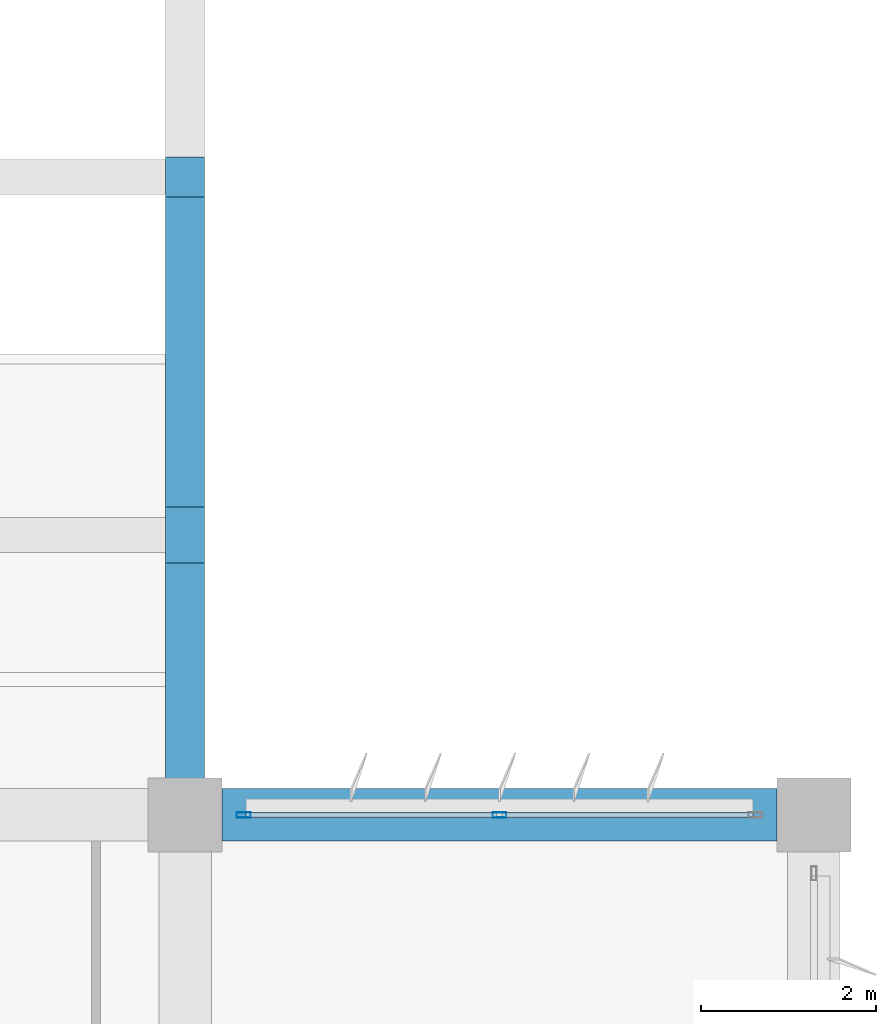
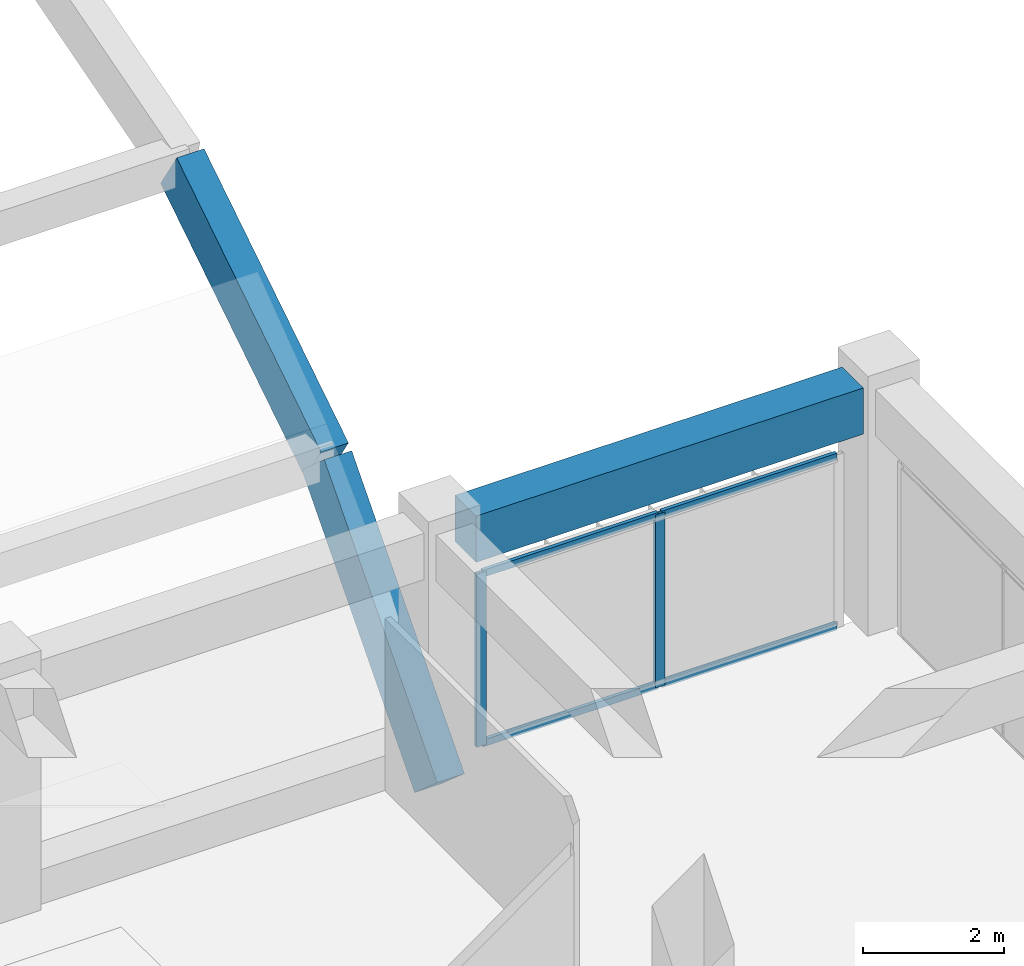
# One storey, part 19 of 48: 6 members, 3 beams, 1 element without a shape of its own.
"""IFC4 building model written with IfcOpenShell, lengths in metres."""

from ifc_helpers import new_model, si_unit, direction, frame, origin, origin_2d, place, context, subcontext, project, spatial, rectangle, hollow_rectangle, extrude, material, material_profile, profile_set, type_object, element, aggregate, save


model = new_model("IFC4")

# Units and contexts
model_context = context("Model", 3, precision=1e-05, world=origin(), true_north=direction((0.0, 1.0)))
body_context = subcontext(model_context, "Body", "Model", "MODEL_VIEW")
ifc_project = project(units=[si_unit("LENGTHUNIT", "METRE"), si_unit("AREAUNIT", "SQUARE_METRE"), si_unit("VOLUMEUNIT", "CUBIC_METRE"), si_unit("PLANEANGLEUNIT", "RADIAN"), si_unit("MASSUNIT", "GRAM", prefix="KILO")], contexts=[model_context])

# Site, building, storey
site_placement = place(None, origin())
site = spatial("IfcSite", under=ifc_project, at=site_placement, CompositionType="ELEMENT")
building_placement = place(site_placement, origin())
building = spatial("IfcBuilding", under=site, at=building_placement, Name="Kazehaya Institute of Natural Sciences", CompositionType="ELEMENT")
storey_placement = place(building_placement, frame((0.0, 0.0, 19.800048828125)))
storey = spatial("IfcBuildingStorey", under=building, at=storey_placement, Name="L04", CompositionType="ELEMENT", Elevation=19.800048828125)

# Beams
ifc_material_1 = material(Name="Concrete Fc36", Category="concrete")
ifc_material_profile_1 = material_profile(ifc_material_1, rectangle(XDim=0.449951171875, YDim=0.85009765625, at=origin_2d()), Name="RC-450x850")
ifc_profile_set_1 = profile_set([ifc_material_profile_1], Name="Concrete Fc36")
beam_type_1 = type_object("IfcBeamType", Name="BM-AR-450x850", PredefinedType="BEAM", material=ifc_profile_set_1)
beam_1_placement = place(storey_placement, frame((112.199951171875, 35.60009765625, -0.429931640625), z_axis=(0.0, 0.659222645841, 0.751947806175), x_axis=(-1.0, 0.0, 0.0)))
element("IfcBeam", 1, at=beam_1_placement, inside=storey, type_object=beam_type_1, Name="SH-VOL2 transverse arch rib SH-VOL2-RIB-112-01", PredefinedType="BEAM", context=body_context, shape_type="SweptSolid", body=[
    extrude(rectangle(XDim=0.449951171875, YDim=0.85009765625, at=origin_2d()), origin(), (0.0, 0.0, 1.0), 4.8603515625),
])
beam_2_placement = place(storey_placement, frame((112.199951171875, 38.80419921875, 3.224853515625), z_axis=(0.0, 0.843332482097, 0.537392151636), x_axis=(-1.0, 0.0, 0.0)))
element("IfcBeam", 2, at=beam_2_placement, inside=storey, type_object=beam_type_1, Name="SH-VOL2 transverse arch rib SH-VOL2-RIB-112-03", PredefinedType="BEAM", context=body_context, shape_type="SweptSolid", body=[
    extrude(rectangle(XDim=0.449951171875, YDim=0.85009765625, at=origin_2d()), origin(), (0.0, 0.0, 1.0), 4.860595703125),
])
ifc_material_profile_2 = material_profile(ifc_material_1, rectangle(XDim=0.60009765625, YDim=0.800048828125, at=origin_2d()), Name="RC-600x800")
ifc_profile_set_2 = profile_set([ifc_material_profile_2], Name="Concrete Fc36")
beam_type_2 = type_object("IfcBeamType", Name="BM-G-600x800", PredefinedType="BEAM", material=ifc_profile_set_2)
beam_3_placement = place(storey_placement, frame((112.625, 35.60009765625, 3.829833984375), z_axis=(1.0, 0.0, 0.0), x_axis=(0.0, 1.0, 0.0)))
element("IfcBeam", 3, at=beam_3_placement, inside=storey, type_object=beam_type_2, Name="L04 primary X girder BMX-L04-1122-356", PredefinedType="BEAM", context=body_context, shape_type="SweptSolid", body=[
    extrude(rectangle(XDim=0.60009765625, YDim=0.800048828125, at=origin_2d()), origin(), (0.0, 0.0, 1.0), 6.35009765625),
])

# Curtain wall, members
ifc_material_2 = material(Name="Aluminium alloy A6063S-T5", Category="aluminium")
curtain_wall_type = type_object("IfcCurtainWallType", Name="CW-SYS-04", PredefinedType="NOTDEFINED", material=ifc_material_2)
curtain_wall_placement = place(storey_placement, origin())
curtain_wall = element("IfcCurtainWall", 4, at=curtain_wall_placement, inside=storey, type_object=curtain_wall_type, Name="L04 unitised curtain wall CW-L04-085", PredefinedType="NOTDEFINED")
ifc_material_profile_3 = material_profile(ifc_material_2, hollow_rectangle(XDim=0.06005859375, YDim=0.159912109375, WallThickness=0.00390625, at=origin_2d()), Name="ALU-60x160x4")
ifc_profile_set_3 = profile_set([ifc_material_profile_3], Name="Aluminium alloy A6063S-T5")
member_type_1 = type_object("IfcMemberType", Name="CWM-160", PredefinedType="MULLION", material=ifc_profile_set_3)
member_1_placement = place(storey_placement, frame((112.8701171875, 35.60009765625, 0.0), z_axis=(0.0, 0.0, 1.0), x_axis=(0.0, 1.0, 0.0)))
member_1 = element("IfcMember", 5, at=member_1_placement, type_object=member_type_1, Name="CW04 mullion 1", PredefinedType="MULLION", context=body_context, shape_type="SweptSolid", body=[
    extrude(hollow_rectangle(XDim=0.06005859375, YDim=0.159912109375, WallThickness=0.00390625, at=origin_2d()), origin(), (0.0, 0.0, 1.0), 3.0),
])
member_2_placement = place(storey_placement, frame((115.800048828125, 35.60009765625, 0.0), z_axis=(0.0, 0.0, 1.0), x_axis=(0.0, 1.0, 0.0)))
member_2 = element("IfcMember", 6, at=member_2_placement, type_object=member_type_1, Name="CW04 mullion 2", PredefinedType="MULLION", context=body_context, shape_type="SweptSolid", body=[
    extrude(hollow_rectangle(XDim=0.06005859375, YDim=0.159912109375, WallThickness=0.00390625, at=origin_2d()), origin(), (0.0, 0.0, 1.0), 3.0),
])
ifc_material_profile_4 = material_profile(ifc_material_2, hollow_rectangle(XDim=0.06005859375, YDim=0.1201171875, WallThickness=0.00341796875, at=origin_2d()), Name="ALU-60x120x3.5")
ifc_profile_set_4 = profile_set([ifc_material_profile_4], Name="Aluminium alloy A6063S-T5")
member_type_2 = type_object("IfcMemberType", Name="CWT-120", PredefinedType="USERDEFINED", material=ifc_profile_set_4)
member_3_placement = place(storey_placement, frame((112.89990234375, 35.60009765625, 0.030029296875), z_axis=(1.0, 0.0, 0.0), x_axis=(0.0, 1.0, 0.0)))
member_3 = element("IfcMember", 7, at=member_3_placement, type_object=member_type_2, Name="CW04 transom 1.1", ObjectType="TRANSOM", PredefinedType="USERDEFINED", context=body_context, shape_type="SweptSolid", body=[
    extrude(hollow_rectangle(XDim=0.06005859375, YDim=0.1201171875, WallThickness=0.00341796875, at=origin_2d()), origin(), (0.0, 0.0, 1.0), 2.8701171875),
])
member_4_placement = place(storey_placement, frame((112.89990234375, 35.60009765625, 2.969970703125), z_axis=(1.0, 0.0, 0.0), x_axis=(0.0, 1.0, 0.0)))
member_4 = element("IfcMember", 8, at=member_4_placement, type_object=member_type_2, Name="CW04 transom 1.2", ObjectType="TRANSOM", PredefinedType="USERDEFINED", context=body_context, shape_type="SweptSolid", body=[
    extrude(hollow_rectangle(XDim=0.06005859375, YDim=0.1201171875, WallThickness=0.00341796875, at=origin_2d()), origin(), (0.0, 0.0, 1.0), 2.8701171875),
])
member_5_placement = place(storey_placement, frame((115.830078125, 35.60009765625, 0.030029296875), z_axis=(1.0, 0.0, 0.0), x_axis=(0.0, 1.0, 0.0)))
member_5 = element("IfcMember", 9, at=member_5_placement, type_object=member_type_2, Name="CW04 transom 2.1", ObjectType="TRANSOM", PredefinedType="USERDEFINED", context=body_context, shape_type="SweptSolid", body=[
    extrude(hollow_rectangle(XDim=0.06005859375, YDim=0.1201171875, WallThickness=0.00341796875, at=origin_2d()), origin(), (0.0, 0.0, 1.0), 2.869873046875),
])
member_6_placement = place(storey_placement, frame((115.830078125, 35.60009765625, 2.969970703125), z_axis=(1.0, 0.0, 0.0), x_axis=(0.0, 1.0, 0.0)))
member_6 = element("IfcMember", 10, at=member_6_placement, type_object=member_type_2, Name="CW04 transom 2.2", ObjectType="TRANSOM", PredefinedType="USERDEFINED", context=body_context, shape_type="SweptSolid", body=[
    extrude(hollow_rectangle(XDim=0.06005859375, YDim=0.1201171875, WallThickness=0.00341796875, at=origin_2d()), origin(), (0.0, 0.0, 1.0), 2.869873046875),
])
aggregate(curtain_wall, [member_1, member_2, member_3, member_4, member_5, member_6])

save(model, "model.ifc")
